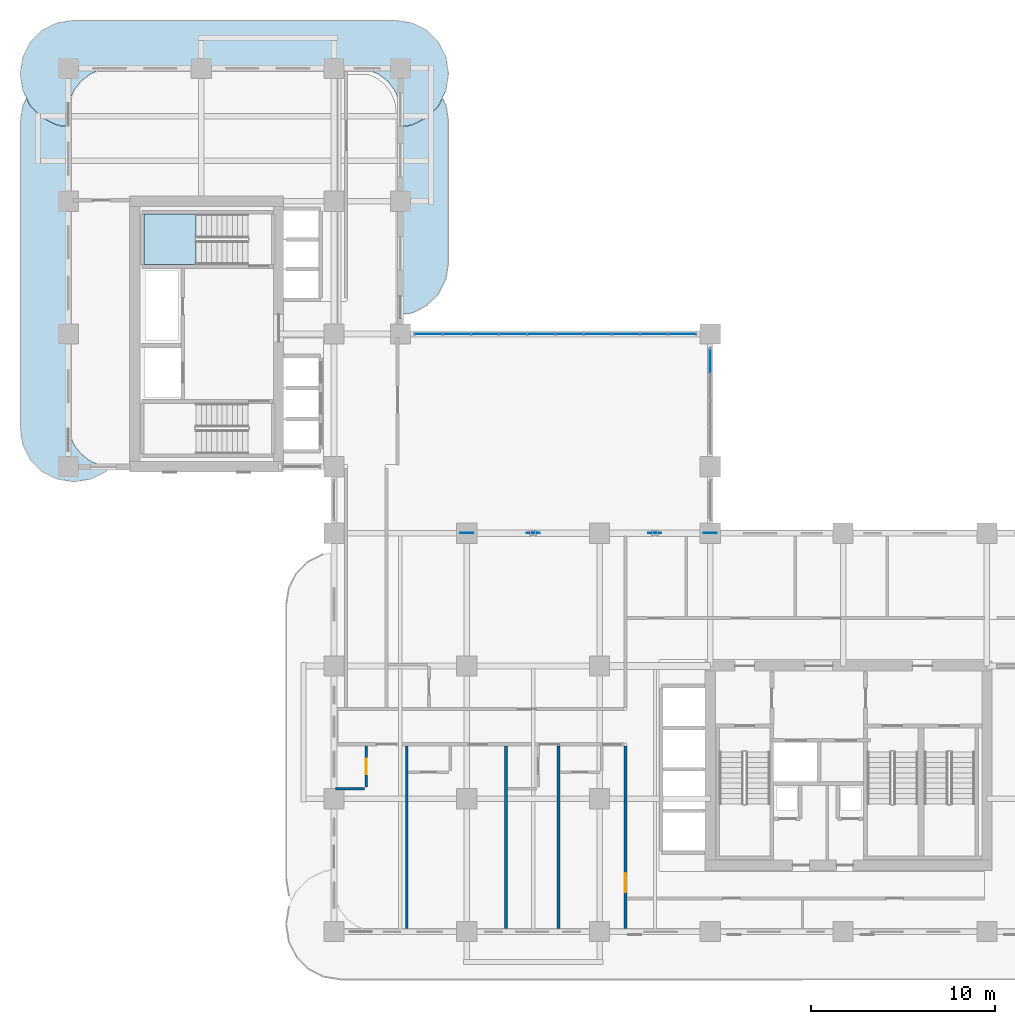
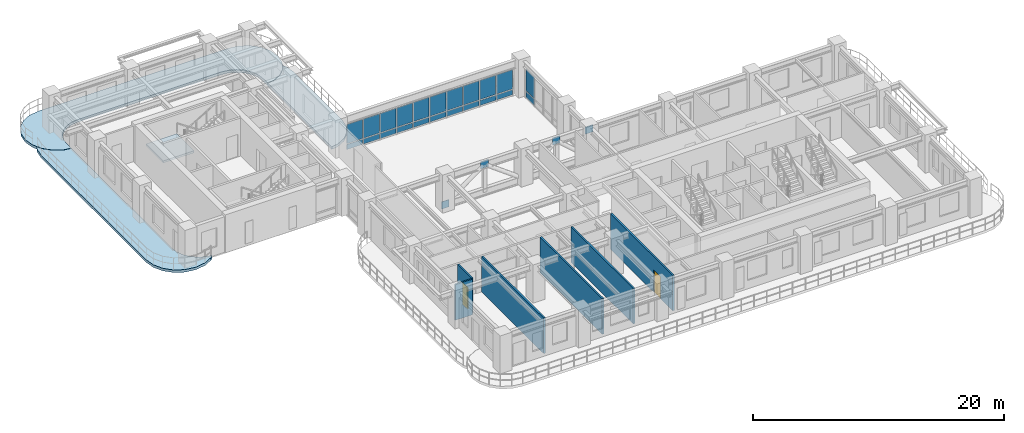
# One storey, part 10 of 21: 26 plates, 6 walls, 4 slabs, 2 doors, 2 openings, 3 elements without a shape of their own.
"""IFC4 building model written with IfcOpenShell, lengths in metres."""

import ifcopenshell
import ifcopenshell.guid

model = None  # the IFC model being written
_history = None  # IfcOwnerHistory: only IFC2X3 demands one
_inside = {}  # id of a spatial element -> (the spatial element, [elements in it])
_under = {}  # id of a project, library or spatial element -> (it, [spatial elements below it])
_declared = {}  # id of a project -> (the project, [libraries it declares])
_typed = {}  # id of a type object -> (the type object, [elements of that type])
_made_of = {}  # id of a material, layer set ... -> (it, [elements and type objects made of it])


def new_model(schema):
    """Start an empty IFC model of exactly this schema.

    Asked for "IFC4X3", IfcOpenShell would pick the latest addendum, in which some entities
    have other attributes; the version numbers below select the first issue.
    IFC2X3 requires an IfcOwnerHistory on every rooted entity: one is made here for all.
    """
    global model, _history
    if schema == "IFC4X3":
        model = ifcopenshell.file(schema_version=(4, 3, 0, 0))
    else:
        model = ifcopenshell.file(schema=schema)
    _inside.clear()
    _under.clear()
    _declared.clear()
    _typed.clear()
    _made_of.clear()
    _history = None
    if model.schema == "IFC2X3":
        org = make("IfcOrganization", Name="unknown")
        user = make(
            "IfcPersonAndOrganization",
            ThePerson=make("IfcPerson", FamilyName="unknown"),
            TheOrganization=org,
        )
        app = make(
            "IfcApplication",
            ApplicationDeveloper=org,
            Version="unknown",
            ApplicationFullName="unknown",
            ApplicationIdentifier="unknown",
        )
        _history = make(
            "IfcOwnerHistory",
            OwningUser=user,
            OwningApplication=app,
            ChangeAction="ADDED",
            CreationDate=0,
        )
    return model


def make(cls, **values):
    """One entity of the class cls with the attributes given. An attribute that is None is left unset."""
    return model.create_entity(
        cls, **{name: value for name, value in values.items() if value is not None}
    )


def rooted(cls, **values):
    """An entity with a GlobalId (a new one), such as an element, a storey or a relation."""
    return make(cls, GlobalId=ifcopenshell.guid.new(), OwnerHistory=_history, **values)


def si_unit(unit_type, name, prefix=None):
    """IfcSIUnit, for example si_unit("LENGTHUNIT", "METRE", prefix="MILLI")."""
    return make("IfcSIUnit", UnitType=unit_type, Prefix=prefix, Name=name)


def derived_unit(unit_type, elements):
    """IfcDerivedUnit: a product of units, each with its exponent."""
    return make(
        "IfcDerivedUnit",
        Elements=[
            make("IfcDerivedUnitElement", Unit=unit, Exponent=power)
            for unit, power in elements
        ],
        UnitType=unit_type,
    )


def assignment(units):
    """IfcUnitAssignment: the units of a project."""
    return None if units is None else make("IfcUnitAssignment", Units=units)


def point(xyz):
    """IfcCartesianPoint."""
    return None if xyz is None else make("IfcCartesianPoint", Coordinates=xyz)


def direction(xyz):
    """IfcDirection."""
    return None if xyz is None else make("IfcDirection", DirectionRatios=xyz)


def frame(location, z_axis=None, x_axis=None):
    """IfcAxis2Placement3D, a coordinate frame: its origin and axes. An axis left out is left unset."""
    return make(
        "IfcAxis2Placement3D",
        Location=point(location),
        Axis=direction(z_axis),
        RefDirection=direction(x_axis),
    )


def frame_2d(location, x_axis=None):
    """IfcAxis2Placement2D, a coordinate frame in the plane: its origin and x axis."""
    return make(
        "IfcAxis2Placement2D", Location=point(location), RefDirection=direction(x_axis)
    )


def origin():
    """The frame at (0, 0, 0) with its axes left unset."""
    return frame((0.0, 0.0, 0.0))


def origin_2d():
    """The frame at (0, 0) in the plane with its x axis left unset."""
    return frame_2d((0.0, 0.0))


def place(relative_to, where):
    """IfcLocalPlacement: puts the frame where relative to a parent placement (None: the world)."""
    return make(
        "IfcLocalPlacement", PlacementRelTo=relative_to, RelativePlacement=where
    )


def context(
    kind, dimensions, precision=None, world=None, true_north=None, identifier=None
):
    """IfcGeometricRepresentationContext, for example the 3D "Model" context."""
    return make(
        "IfcGeometricRepresentationContext",
        ContextIdentifier=identifier,
        ContextType=kind,
        CoordinateSpaceDimension=dimensions,
        Precision=precision,
        WorldCoordinateSystem=world,
        TrueNorth=true_north,
    )


def subcontext(parent, identifier, kind, view, scale=None):
    """IfcGeometricRepresentationSubContext, for example "Body" below "Model"."""
    return make(
        "IfcGeometricRepresentationSubContext",
        ContextIdentifier=identifier,
        ContextType=kind,
        ParentContext=parent,
        TargetScale=scale,
        TargetView=view,
    )


def project(units=None, contexts=None):
    """IfcProject with its units and contexts."""
    return rooted(
        "IfcProject",
        Name="project",
        RepresentationContexts=contexts,
        UnitsInContext=assignment(units),
    )


def spatial(cls, under=None, at=None, **own):
    """A site, building, storey or space (cls), placed at a placement, below another one or the project."""
    s = rooted(cls, ObjectPlacement=at, **own)
    if under is not None:
        _under.setdefault(under.id(), (under, []))[1].append(s)
    return s


def polyline(points):
    """IfcPolyline through the points."""
    return make("IfcPolyline", Points=[point(p) for p in points])


def profile(cls, at=None, kind="AREA", **sizes):
    """A parametric profile (cls). Its sizes go by their IFC names, for example OverallWidth=200.0."""
    return make(cls, ProfileType=kind, Position=at, **sizes)


def rectangle(**sizes):
    """IfcRectangleProfileDef."""
    return profile("IfcRectangleProfileDef", **sizes)


def outline(outer, holes=None, kind="AREA"):
    """IfcArbitraryClosedProfileDef: a profile drawn as a closed curve; with holes, ...WithVoids."""
    if holes is None:
        return make("IfcArbitraryClosedProfileDef", ProfileType=kind, OuterCurve=outer)
    return make(
        "IfcArbitraryProfileDefWithVoids",
        ProfileType=kind,
        OuterCurve=outer,
        InnerCurves=holes,
    )


def extrude(swept, where, along, depth):
    """IfcExtrudedAreaSolid: the profile swept, set in the frame where, extruded along a direction by depth."""
    return make(
        "IfcExtrudedAreaSolid",
        SweptArea=swept,
        Position=where,
        ExtrudedDirection=direction(along),
        Depth=depth,
    )


def shape(context_of_items, identifier, shape_type, items):
    """IfcShapeRepresentation: the items that make up one representation, for example the "Body"."""
    return make(
        "IfcShapeRepresentation",
        ContextOfItems=context_of_items,
        RepresentationIdentifier=identifier,
        RepresentationType=shape_type,
        Items=items,
    )


def source(mapping_origin, context_of_items, identifier, shape_type, items):
    """IfcRepresentationMap: a shape defined once, which mapped items show again and again."""
    return make(
        "IfcRepresentationMap",
        MappingOrigin=mapping_origin,
        MappedRepresentation=shape(context_of_items, identifier, shape_type, items),
    )


def transform(
    local_origin,
    x_axis=None,
    y_axis=None,
    z_axis=None,
    scale=None,
    scale2=None,
    scale3=None,
    uniform=True,
):
    """IfcCartesianTransformationOperator3D, or its non-uniform kind. x_axis, y_axis, z_axis: its Axis1, 2, 3."""
    if uniform:
        return make(
            "IfcCartesianTransformationOperator3D",
            Axis1=direction(x_axis),
            Axis2=direction(y_axis),
            LocalOrigin=point(local_origin),
            Scale=scale,
            Axis3=direction(z_axis),
        )
    return make(
        "IfcCartesianTransformationOperator3DnonUniform",
        Axis1=direction(x_axis),
        Axis2=direction(y_axis),
        LocalOrigin=point(local_origin),
        Scale=scale,
        Axis3=direction(z_axis),
        Scale2=scale2,
        Scale3=scale3,
    )


def mapped(mapping_source, mapping_target):
    """IfcMappedItem: shows the shape of a source again, moved by a transform."""
    return make(
        "IfcMappedItem", MappingSource=mapping_source, MappingTarget=mapping_target
    )


def material(Name=None, Category=None):
    """IfcMaterial."""
    return make("IfcMaterial", Name=Name, Category=Category)


def layer(
    of_material, thickness, ventilated=None, Name=None, Category=None, Priority=None
):
    """IfcMaterialLayer: one layer of a wall or slab, of a material (None: an air gap)."""
    return make(
        "IfcMaterialLayer",
        Material=of_material,
        LayerThickness=thickness,
        IsVentilated=ventilated,
        Name=Name,
        Category=Category,
        Priority=Priority,
    )


def layer_set(layers, Name=None):
    """IfcMaterialLayerSet."""
    return make("IfcMaterialLayerSet", MaterialLayers=layers, LayerSetName=Name)


def made_of(thing, what):
    """Note that an element or type object is made of a material, layer set ...; save() writes the relation."""
    if what is not None:
        _made_of.setdefault(what.id(), (what, []))[1].append(thing)
    return thing


def type_object(cls, material=None, **own):
    """A type object (cls), such as IfcWallType, which elements share."""
    return made_of(rooted(cls, **own), material)


def type_shapes(of_type, sources):
    """Give a type object the sources (RepresentationMaps) that its elements show as mapped items."""
    of_type.RepresentationMaps = sources


def element(
    cls,
    number,
    at=None,
    inside=None,
    cuts=None,
    type_object=None,
    material=None,
    context=None,
    identifier="Body",
    shape_type=None,
    held_by="IfcProductDefinitionShape",
    body=None,
    shapes=None,
    **own,
):
    """One element of the class cls, such as IfcWall. Its Tag is "e" and its number.

    at: its placement. inside: the storey or other place that contains it. cuts: it is an
    opening in that element (IfcRelVoidsElement). A single representation is given by context,
    identifier, shape_type and body (its items); several are given by shapes. held_by: the class
    of the entity that holds the representations. save() writes the other relations.
    """
    e = rooted(cls, Tag="e%d" % number, ObjectPlacement=at, **own)
    if body is not None:
        shapes = [shape(context, identifier, shape_type, body)]
    if shapes is not None:
        e.Representation = make(held_by, Representations=shapes)
    if inside is not None:
        _inside.setdefault(inside.id(), (inside, []))[1].append(e)
    if cuts is not None:
        rooted(
            "IfcRelVoidsElement", RelatingBuildingElement=cuts, RelatedOpeningElement=e
        )
    if type_object is not None:
        _typed.setdefault(type_object.id(), (type_object, []))[1].append(e)
    return made_of(e, material)


def fill(opening, filler):
    """IfcRelFillsElement: the door or window that sits in an opening."""
    return rooted(
        "IfcRelFillsElement",
        RelatingOpeningElement=opening,
        RelatedBuildingElement=filler,
    )


def aggregate(whole, parts):
    """IfcRelAggregates: a whole, such as a stair, and the parts it consists of."""
    return rooted("IfcRelAggregates", RelatingObject=whole, RelatedObjects=parts)


def save(model, path):
    """Write the relations noted so far, then the file.

    IfcRelAggregates (storeys below a building ...), IfcRelContainedInSpatialStructure (elements
    in a storey), IfcRelDefinesByType, IfcRelAssociatesMaterial and IfcRelDeclares: one each for
    every whole, place, type object, material and project.
    """
    for whole, parts in _under.values():
        aggregate(whole, parts)
    for where, things in _inside.values():
        rooted(
            "IfcRelContainedInSpatialStructure",
            RelatedElements=things,
            RelatingStructure=where,
        )
    for kind, things in _typed.values():
        rooted("IfcRelDefinesByType", RelatedObjects=things, RelatingType=kind)
    for what, things in _made_of.values():
        rooted("IfcRelAssociatesMaterial", RelatedObjects=things, RelatingMaterial=what)
    for by, libraries in _declared.values():
        rooted("IfcRelDeclares", RelatingContext=by, RelatedDefinitions=libraries)
    model.write(path)


model = new_model("IFC4")

# Units and contexts
model_context = context("Model", 3, precision=1e-05, world=origin(), true_north=direction((0.0, 1.0)))
body_context = subcontext(model_context, "Body", "Model", "MODEL_VIEW")
ifc_project = project(units=[si_unit("LENGTHUNIT", "METRE"), si_unit("AREAUNIT", "SQUARE_METRE"), si_unit("VOLUMEUNIT", "CUBIC_METRE"), si_unit("PLANEANGLEUNIT", "RADIAN"), si_unit("MASSUNIT", "GRAM", prefix="KILO"), si_unit("THERMODYNAMICTEMPERATUREUNIT", "KELVIN"), si_unit("POWERUNIT", "WATT"), derived_unit("THERMALTRANSMITTANCEUNIT", [(si_unit("POWERUNIT", "WATT"), 1), (si_unit("AREAUNIT", "SQUARE_METRE"), -1), (si_unit("THERMODYNAMICTEMPERATUREUNIT", "KELVIN"), -1)])], contexts=[model_context])

# Site, building, storey
site_placement = place(None, origin())
site = spatial("IfcSite", under=ifc_project, at=site_placement, CompositionType="ELEMENT")
building_placement = place(site_placement, origin())
building = spatial("IfcBuilding", under=site, at=building_placement, Name="Zahravan Archway Hotel and Residences", CompositionType="ELEMENT")
storey_placement = place(building_placement, frame((0.0, 0.0, 69.39990234375)))
storey = spatial("IfcBuildingStorey", under=building, at=storey_placement, Name="L16", CompositionType="ELEMENT", Elevation=69.39990234375)

# Slabs
ifc_material_1 = material(Name="Concrete C45/55", Category="concrete")
ifc_layer_1 = layer(ifc_material_1, 0.25, Name="Concrete C45/55", Category="concrete")
ifc_layer_set_1 = layer_set([ifc_layer_1], Name="Concrete C45/55")
slab_type_1 = type_object("IfcSlabType", Name="SLB-BALC-250", PredefinedType="FLOOR", material=ifc_layer_set_1)
slab_1_placement = place(storey_placement, frame((0.0, 0.0, -0.25)))
element("IfcSlab", 1, at=slab_1_placement, inside=storey, type_object=slab_type_1, Name="L16 Wing B North Rounded Balcony Band", PredefinedType="FLOOR", context=body_context, shape_type="SweptSolid", body=[
    extrude(outline(polyline([(-0.630615234375, 43.739501953125), (-1.42529296875, 44.144287109375), (-2.0556640625, 44.77490234375), (-2.46044921875, 45.5693359375), (-2.60009765625, 46.449951171875), (-2.60009765625, 46.550048828125), (-2.46044921875, 47.4306640625), (-2.0556640625, 48.22509765625), (-1.42529296875, 48.855712890625), (-0.630615234375, 49.260498046875), (0.25, 49.39990234375), (17.75, 49.39990234375), (18.630615234375, 49.260498046875), (19.42529296875, 48.855712890625), (20.0556640625, 48.22509765625), (20.46044921875, 47.4306640625), (20.60009765625, 46.550048828125), (20.60009765625, 46.449951171875), (20.46044921875, 45.5693359375), (20.0556640625, 44.77490234375), (19.42529296875, 44.144287109375), (18.630615234375, 43.739501953125), (18.02001953125, 43.642822265625), (18.02001953125, 44.39990234375), (18.019775390625, 44.402587890625), (17.93798828125, 45.023681640625), (17.937744140625, 45.025390625), (17.937255859375, 45.027099609375), (17.936767578125, 45.02880859375), (17.697021484375, 45.607666015625), (17.6962890625, 45.609130859375), (17.6953125, 45.610595703125), (17.6943359375, 45.6123046875), (17.31298828125, 46.109375), (17.311767578125, 46.110595703125), (17.310546875, 46.11181640625), (17.309326171875, 46.113037109375), (16.812255859375, 46.494384765625), (16.810791015625, 46.495361328125), (16.80908203125, 46.49609375), (16.8076171875, 46.4970703125), (16.22900390625, 46.73681640625), (16.227294921875, 46.7373046875), (16.2255859375, 46.73779296875), (16.223876953125, 46.738037109375), (15.6025390625, 46.81982421875), (15.60009765625, 46.820068359375), (2.39990234375, 46.820068359375), (2.3974609375, 46.81982421875), (1.776123046875, 46.738037109375), (1.7744140625, 46.73779296875), (1.772705078125, 46.7373046875), (1.77099609375, 46.73681640625), (1.1923828125, 46.4970703125), (1.19091796875, 46.49609375), (1.189208984375, 46.495361328125), (1.187744140625, 46.494384765625), (0.690673828125, 46.113037109375), (0.689453125, 46.11181640625), (0.688232421875, 46.110595703125), (0.68701171875, 46.109375), (0.3056640625, 45.6123046875), (0.3046875, 45.610595703125), (0.3037109375, 45.609130859375), (0.302978515625, 45.607666015625), (0.063232421875, 45.02880859375), (0.062744140625, 45.027099609375), (0.062255859375, 45.025390625), (0.06201171875, 45.023681640625), (-0.019775390625, 44.402587890625), (-0.02001953125, 44.39990234375), (-0.02001953125, 43.642822265625), (-0.630615234375, 43.739501953125)])), origin(), (0.0, 0.0, 1.0), 0.25),
])
slab_2_placement = place(storey_placement, frame((0.0, 0.0, -0.25)))
element("IfcSlab", 2, at=slab_2_placement, inside=storey, type_object=slab_type_1, Name="L16 Wing B West Rounded Balcony Band", PredefinedType="FLOOR", context=body_context, shape_type="SweptSolid", body=[
    extrude(outline(polyline([(2.025146484375, 24.9443359375), (1.230712890625, 24.53955078125), (0.35009765625, 24.39990234375), (0.25, 24.39990234375), (-0.630615234375, 24.53955078125), (-1.42529296875, 24.9443359375), (-2.0556640625, 25.57470703125), (-2.46044921875, 26.369384765625), (-2.60009765625, 27.25), (-2.60009765625, 43.949951171875), (-2.46044921875, 44.830810546875), (-2.28369140625, 45.177978515625), (-2.073486328125, 44.765625), (-2.072509765625, 44.763916015625), (-2.0712890625, 44.76220703125), (-2.06982421875, 44.7607421875), (-1.439208984375, 44.130126953125), (-1.437744140625, 44.12890625), (-1.43603515625, 44.12744140625), (-1.434326171875, 44.12646484375), (-0.639892578125, 43.7216796875), (-0.637939453125, 43.720703125), (-0.635986328125, 43.72021484375), (-0.6337890625, 43.7197265625), (-0.023193359375, 43.623046875), (-0.021240234375, 43.622802734375), (-0.02001953125, 43.622802734375), (-0.02001953125, 27.60009765625), (-0.019775390625, 27.597412109375), (0.06201171875, 26.976318359375), (0.062255859375, 26.974609375), (0.062744140625, 26.972900390625), (0.063232421875, 26.97119140625), (0.302978515625, 26.392333984375), (0.3037109375, 26.390869140625), (0.3046875, 26.389404296875), (0.3056640625, 26.3876953125), (0.68701171875, 25.890625), (0.688232421875, 25.889404296875), (0.689453125, 25.88818359375), (0.690673828125, 25.886962890625), (1.187744140625, 25.505615234375), (1.189208984375, 25.504638671875), (1.19091796875, 25.50390625), (1.1923828125, 25.5029296875), (1.77099609375, 25.26318359375), (1.772705078125, 25.2626953125), (1.7744140625, 25.26220703125), (1.776123046875, 25.261962890625), (2.27685546875, 25.196044921875), (2.025146484375, 24.9443359375)])), origin(), (0.0, 0.0, 1.0), 0.25),
])
slab_3_placement = place(storey_placement, frame((0.0, 0.0, -0.25)))
element("IfcSlab", 3, at=slab_3_placement, inside=storey, type_object=slab_type_1, Name="L16 Wing B East Rounded Balcony Band", PredefinedType="FLOOR", context=body_context, shape_type="SweptSolid", body=[
    extrude(outline(polyline([(20.46044921875, 44.830810546875), (20.60009765625, 43.949951171875), (20.60009765625, 36.25), (20.46044921875, 35.369384765625), (20.0556640625, 34.57470703125), (19.42529296875, 33.9443359375), (18.630615234375, 33.53955078125), (18.02001953125, 33.44287109375), (18.02001953125, 43.622802734375), (18.021240234375, 43.622802734375), (18.023193359375, 43.623046875), (18.6337890625, 43.7197265625), (18.635986328125, 43.72021484375), (18.637939453125, 43.720703125), (18.639892578125, 43.7216796875), (19.434326171875, 44.12646484375), (19.43603515625, 44.12744140625), (19.437744140625, 44.12890625), (19.439208984375, 44.130126953125), (20.06982421875, 44.7607421875), (20.0712890625, 44.76220703125), (20.072509765625, 44.763916015625), (20.073486328125, 44.765625), (20.28369140625, 45.177978515625), (20.46044921875, 44.830810546875)])), origin(), (0.0, 0.0, 1.0), 0.25),
])

# Stair, slab
ifc_material_2 = material(Name="Concrete C50/60", Category="concrete")
stair_type = type_object("IfcStairType", Name="STR-CORE-1300", PredefinedType="HALF_TURN_STAIR", material=ifc_material_2)
stair_placement = place(storey_placement, origin())
stair = element("IfcStair", 4, at=stair_placement, inside=storey, type_object=stair_type, Name="L16 Core B Exit Stair 2", PredefinedType="HALF_TURN_STAIR")
ifc_layer_2 = layer(ifc_material_2, 0.199951171875, Name="Concrete C50/60", Category="concrete")
ifc_layer_set_2 = layer_set([ifc_layer_2], Name="Concrete C50/60")
slab_type_2 = type_object("IfcSlabType", Name="SLB-LND-200", PredefinedType="LANDING", material=ifc_layer_set_2)
slab_4_placement = place(storey_placement, frame((0.0, 0.0, 1.650146484375)))
slab_4 = element("IfcSlab", 5, at=slab_4_placement, type_object=slab_type_2, Name="ST-B2 landing 1", PredefinedType="LANDING", context=body_context, shape_type="SweptSolid", body=[
    extrude(outline(polyline([(6.929931640625, 38.89990234375), (4.10009765625, 38.89990234375), (4.10009765625, 36.159912109375), (6.929931640625, 36.159912109375), (6.929931640625, 38.89990234375)])), origin(), (0.0, 0.0, 1.0), 0.199951171875),
])
aggregate(stair, [slab_4])

# Plates
ifc_material_3 = material(Name="Structural Steel S355J2", Category="steel")
ifc_layer_3 = layer(ifc_material_3, 0.030029296875, Name="Structural Steel S355J2", Category="steel")
ifc_layer_set_3 = layer_set([ifc_layer_3], Name="Structural Steel S355J2")
plate_type_1 = type_object("IfcPlateType", Name="PLT-GUS-BTN1", PredefinedType="USERDEFINED", material=ifc_layer_set_3)
shared_shape_1 = source(origin(), body_context, "Body", "SweptSolid", [
    extrude(rectangle(XDim=0.699951171875, YDim=0.030029296875, at=origin_2d()), origin(), (0.0, 0.0, 1.0), 0.699951171875),
])
type_shapes(plate_type_1, [shared_shape_1])
for number, where, z_axis, x_axis, name in (
    (6, (21.60009765625, 21.60009765625, 0.0), (0.0, 0.0, 1.0), (1.0, 0.0, 0.0), "L16 Sky-Bridge End Gusset Plate BTN1-W"),
    (7, (34.800048828125, 21.60009765625, 2.64990234375), (0.0, 0.0, 1.0), (1.0, 0.0, 0.0), "L16 Sky-Bridge End Gusset Plate BTN1-E"),
    (8, (25.199951171875, 21.60009765625, 2.64990234375), (0.0, 0.0, 1.0), (1.0, 0.0, 0.0), "L16 Sky-Bridge Gusset Plate BTN1-1"),
    (9, (31.800048828125, 21.60009765625, 2.64990234375), (0.0, 0.0, 1.0), (1.0, 0.0, 0.0), "L16 Sky-Bridge Gusset Plate BTN1-3"),
):
    element("IfcPlate", number, at=place(storey_placement, frame(where, z_axis=z_axis, x_axis=x_axis)), inside=storey, type_object=plate_type_1, Name=name, ObjectType="GUSSET", PredefinedType="USERDEFINED", context=body_context, shape_type="MappedRepresentation", body=[
        mapped(shared_shape_1, transform((0.0, 0.0, 0.0), scale=1.0)),
    ])

# Curtain wall, plates
ifc_material_4 = material(Name="Bronze-Anodized Unitised Aluminium & Low-E Glass", Category="aluminium")
ifc_layer_4 = layer(ifc_material_4, 0.179931640625, Name="Bronze-Anodized Unitised Aluminium & Low-E Glass", Category="aluminium")
ifc_layer_set_4 = layer_set([ifc_layer_4], Name="Bronze-Anodized Unitised Aluminium & Low-E Glass")
curtain_wall_type = type_object("IfcCurtainWallType", Name="CW-SBG-1", PredefinedType="NOTDEFINED", material=ifc_layer_set_4)
curtain_wall_1_placement = place(storey_placement, origin())
curtain_wall_1 = element("IfcCurtainWall", 10, at=curtain_wall_1_placement, inside=storey, type_object=curtain_wall_type, Name="L16 Curtain Wall CW-L16-HNG-E-2", PredefinedType="NOTDEFINED")
ifc_material_5 = material(Name="Insulated Terracotta Spandrel Panel", Category="masonry")
ifc_layer_5 = layer(ifc_material_5, 0.0400390625, Name="Insulated Terracotta Spandrel Panel", Category="masonry")
ifc_layer_set_5 = layer_set([ifc_layer_5], Name="Insulated Terracotta Spandrel Panel")
plate_type_2 = type_object("IfcPlateType", Name="CWP-SPN-40", PredefinedType="SHEET", material=ifc_layer_set_5)
shared_shape_2 = source(origin(), body_context, "Body", "SweptSolid", [
    extrude(rectangle(XDim=1.340087890625, YDim=0.0400390625, at=origin_2d()), origin(), (0.0, 0.0, 1.0), 0.552490234375),
])
plate_1_placement = place(storey_placement, frame((34.800048828125, 30.929931640625, 0.10009765625), z_axis=(0.0, 0.0, 1.0), x_axis=(0.0, 1.0, 0.0)))
plate_1 = element("IfcPlate", 11, at=plate_1_placement, type_object=plate_type_2, Name="CW-L16-HNG-E-2 Spandrel Panel 3", PredefinedType="SHEET", context=body_context, shape_type="MappedRepresentation", body=[
    mapped(shared_shape_2, transform((0.0, 0.0, 0.0), scale=1.0)),
])
ifc_material_6 = material(Name="Double-Silver Low-E Insulated Vision Glass", Category="glass")
ifc_layer_6 = layer(ifc_material_6, 0.028076171875, Name="Double-Silver Low-E Insulated Vision Glass", Category="glass")
ifc_layer_set_6 = layer_set([ifc_layer_6], Name="Double-Silver Low-E Insulated Vision Glass")
plate_type_3 = type_object("IfcPlateType", Name="CWP-GLZ-28", PredefinedType="CURTAIN_PANEL", material=ifc_layer_set_6)
shared_shape_3 = source(origin(), body_context, "Body", "SweptSolid", [
    extrude(rectangle(XDim=1.340087890625, YDim=0.028076171875, at=origin_2d()), origin(), (0.0, 0.0, 1.0), 2.052490234375),
])
plate_2_placement = place(storey_placement, frame((34.800048828125, 30.929931640625, 0.732421875), z_axis=(0.0, 0.0, 1.0), x_axis=(0.0, 1.0, 0.0)))
plate_2 = element("IfcPlate", 12, at=plate_2_placement, type_object=plate_type_3, Name="CW-L16-HNG-E-2 Low-E Vision Panel 3", PredefinedType="CURTAIN_PANEL", context=body_context, shape_type="MappedRepresentation", body=[
    mapped(shared_shape_3, transform((0.0, 0.0, 0.0), scale=1.0)),
])
aggregate(curtain_wall_1, [plate_1, plate_2])

curtain_wall_2_placement = place(storey_placement, origin())
curtain_wall_2 = element("IfcCurtainWall", 13, at=curtain_wall_2_placement, inside=storey, type_object=curtain_wall_type, Name="L16 Curtain Wall CW-L16-HNG-N-1", PredefinedType="NOTDEFINED")
shared_shape_4 = source(origin(), body_context, "Body", "SweptSolid", [
    extrude(rectangle(XDim=1.447998046875, YDim=0.0400390625, at=origin_2d()), origin(), (0.0, 0.0, 1.0), 0.492431640625),
])
plate_3_placement = place(storey_placement, frame((19.52392578125, 32.39990234375, 0.10009765625), z_axis=(0.0, 0.0, 1.0), x_axis=(1.0, 0.0, 0.0)))
plate_3 = element("IfcPlate", 14, at=plate_3_placement, type_object=plate_type_2, Name="CW-L16-HNG-N-1 Spandrel Panel 0", PredefinedType="SHEET", context=body_context, shape_type="MappedRepresentation", body=[
    mapped(shared_shape_4, transform((0.0, 0.0, 0.0), scale=1.0)),
])
plate_4_placement = place(storey_placement, frame((21.052001953125, 32.39990234375, 0.10009765625), z_axis=(0.0, 0.0, 1.0), x_axis=(1.0, 0.0, 0.0)))
plate_4 = element("IfcPlate", 15, at=plate_4_placement, type_object=plate_type_2, Name="CW-L16-HNG-N-1 Spandrel Panel 1", PredefinedType="SHEET", context=body_context, shape_type="MappedRepresentation", body=[
    mapped(shared_shape_4, transform((0.0, 0.0, 0.0), scale=1.0)),
])
plate_5_placement = place(storey_placement, frame((22.580078125, 32.39990234375, 0.10009765625), z_axis=(0.0, 0.0, 1.0), x_axis=(1.0, 0.0, 0.0)))
plate_5 = element("IfcPlate", 16, at=plate_5_placement, type_object=plate_type_2, Name="CW-L16-HNG-N-1 Spandrel Panel 2", PredefinedType="SHEET", context=body_context, shape_type="MappedRepresentation", body=[
    mapped(shared_shape_4, transform((0.0, 0.0, 0.0), scale=1.0)),
])
plate_6_placement = place(storey_placement, frame((24.10791015625, 32.39990234375, 0.10009765625), z_axis=(0.0, 0.0, 1.0), x_axis=(1.0, 0.0, 0.0)))
plate_6 = element("IfcPlate", 17, at=plate_6_placement, type_object=plate_type_2, Name="CW-L16-HNG-N-1 Spandrel Panel 3", PredefinedType="SHEET", context=body_context, shape_type="MappedRepresentation", body=[
    mapped(shared_shape_4, transform((0.0, 0.0, 0.0), scale=1.0)),
])
plate_7_placement = place(storey_placement, frame((25.635986328125, 32.39990234375, 0.10009765625), z_axis=(0.0, 0.0, 1.0), x_axis=(1.0, 0.0, 0.0)))
plate_7 = element("IfcPlate", 18, at=plate_7_placement, type_object=plate_type_2, Name="CW-L16-HNG-N-1 Spandrel Panel 4", PredefinedType="SHEET", context=body_context, shape_type="MappedRepresentation", body=[
    mapped(shared_shape_4, transform((0.0, 0.0, 0.0), scale=1.0)),
])
plate_8_placement = place(storey_placement, frame((27.1640625, 32.39990234375, 0.10009765625), z_axis=(0.0, 0.0, 1.0), x_axis=(1.0, 0.0, 0.0)))
plate_8 = element("IfcPlate", 19, at=plate_8_placement, type_object=plate_type_2, Name="CW-L16-HNG-N-1 Spandrel Panel 5", PredefinedType="SHEET", context=body_context, shape_type="MappedRepresentation", body=[
    mapped(shared_shape_4, transform((0.0, 0.0, 0.0), scale=1.0)),
])
plate_9_placement = place(storey_placement, frame((28.69189453125, 32.39990234375, 0.10009765625), z_axis=(0.0, 0.0, 1.0), x_axis=(1.0, 0.0, 0.0)))
plate_9 = element("IfcPlate", 20, at=plate_9_placement, type_object=plate_type_2, Name="CW-L16-HNG-N-1 Spandrel Panel 6", PredefinedType="SHEET", context=body_context, shape_type="MappedRepresentation", body=[
    mapped(shared_shape_4, transform((0.0, 0.0, 0.0), scale=1.0)),
])
plate_10_placement = place(storey_placement, frame((30.219970703125, 32.39990234375, 0.10009765625), z_axis=(0.0, 0.0, 1.0), x_axis=(1.0, 0.0, 0.0)))
plate_10 = element("IfcPlate", 21, at=plate_10_placement, type_object=plate_type_2, Name="CW-L16-HNG-N-1 Spandrel Panel 7", PredefinedType="SHEET", context=body_context, shape_type="MappedRepresentation", body=[
    mapped(shared_shape_4, transform((0.0, 0.0, 0.0), scale=1.0)),
])
plate_11_placement = place(storey_placement, frame((31.748046875, 32.39990234375, 0.10009765625), z_axis=(0.0, 0.0, 1.0), x_axis=(1.0, 0.0, 0.0)))
plate_11 = element("IfcPlate", 22, at=plate_11_placement, type_object=plate_type_2, Name="CW-L16-HNG-N-1 Spandrel Panel 8", PredefinedType="SHEET", context=body_context, shape_type="MappedRepresentation", body=[
    mapped(shared_shape_4, transform((0.0, 0.0, 0.0), scale=1.0)),
])
plate_12_placement = place(storey_placement, frame((33.27587890625, 32.39990234375, 0.10009765625), z_axis=(0.0, 0.0, 1.0), x_axis=(1.0, 0.0, 0.0)))
plate_12 = element("IfcPlate", 23, at=plate_12_placement, type_object=plate_type_2, Name="CW-L16-HNG-N-1 Spandrel Panel 9", PredefinedType="SHEET", context=body_context, shape_type="MappedRepresentation", body=[
    mapped(shared_shape_4, transform((0.0, 0.0, 0.0), scale=1.0)),
])
shared_shape_5 = source(origin(), body_context, "Body", "SweptSolid", [
    extrude(rectangle(XDim=1.447998046875, YDim=0.028076171875, at=origin_2d()), origin(), (0.0, 0.0, 1.0), 1.862548828125),
])
plate_13_placement = place(storey_placement, frame((19.52392578125, 32.39990234375, 0.67236328125), z_axis=(0.0, 0.0, 1.0), x_axis=(1.0, 0.0, 0.0)))
plate_13 = element("IfcPlate", 24, at=plate_13_placement, type_object=plate_type_3, Name="CW-L16-HNG-N-1 Low-E Vision Panel 0", PredefinedType="CURTAIN_PANEL", context=body_context, shape_type="MappedRepresentation", body=[
    mapped(shared_shape_5, transform((0.0, 0.0, 0.0), scale=1.0)),
])
plate_14_placement = place(storey_placement, frame((21.052001953125, 32.39990234375, 0.67236328125), z_axis=(0.0, 0.0, 1.0), x_axis=(1.0, 0.0, 0.0)))
plate_14 = element("IfcPlate", 25, at=plate_14_placement, type_object=plate_type_3, Name="CW-L16-HNG-N-1 Low-E Vision Panel 1", PredefinedType="CURTAIN_PANEL", context=body_context, shape_type="MappedRepresentation", body=[
    mapped(shared_shape_5, transform((0.0, 0.0, 0.0), scale=1.0)),
])
plate_15_placement = place(storey_placement, frame((22.580078125, 32.39990234375, 0.67236328125), z_axis=(0.0, 0.0, 1.0), x_axis=(1.0, 0.0, 0.0)))
plate_15 = element("IfcPlate", 26, at=plate_15_placement, type_object=plate_type_3, Name="CW-L16-HNG-N-1 Low-E Vision Panel 2", PredefinedType="CURTAIN_PANEL", context=body_context, shape_type="MappedRepresentation", body=[
    mapped(shared_shape_5, transform((0.0, 0.0, 0.0), scale=1.0)),
])
plate_16_placement = place(storey_placement, frame((24.10791015625, 32.39990234375, 0.67236328125), z_axis=(0.0, 0.0, 1.0), x_axis=(1.0, 0.0, 0.0)))
plate_16 = element("IfcPlate", 27, at=plate_16_placement, type_object=plate_type_3, Name="CW-L16-HNG-N-1 Low-E Vision Panel 3", PredefinedType="CURTAIN_PANEL", context=body_context, shape_type="MappedRepresentation", body=[
    mapped(shared_shape_5, transform((0.0, 0.0, 0.0), scale=1.0)),
])
plate_17_placement = place(storey_placement, frame((25.635986328125, 32.39990234375, 0.67236328125), z_axis=(0.0, 0.0, 1.0), x_axis=(1.0, 0.0, 0.0)))
plate_17 = element("IfcPlate", 28, at=plate_17_placement, type_object=plate_type_3, Name="CW-L16-HNG-N-1 Low-E Vision Panel 4", PredefinedType="CURTAIN_PANEL", context=body_context, shape_type="MappedRepresentation", body=[
    mapped(shared_shape_5, transform((0.0, 0.0, 0.0), scale=1.0)),
])
plate_18_placement = place(storey_placement, frame((27.1640625, 32.39990234375, 0.67236328125), z_axis=(0.0, 0.0, 1.0), x_axis=(1.0, 0.0, 0.0)))
plate_18 = element("IfcPlate", 29, at=plate_18_placement, type_object=plate_type_3, Name="CW-L16-HNG-N-1 Low-E Vision Panel 5", PredefinedType="CURTAIN_PANEL", context=body_context, shape_type="MappedRepresentation", body=[
    mapped(shared_shape_5, transform((0.0, 0.0, 0.0), scale=1.0)),
])
plate_19_placement = place(storey_placement, frame((28.69189453125, 32.39990234375, 0.67236328125), z_axis=(0.0, 0.0, 1.0), x_axis=(1.0, 0.0, 0.0)))
plate_19 = element("IfcPlate", 30, at=plate_19_placement, type_object=plate_type_3, Name="CW-L16-HNG-N-1 Low-E Vision Panel 6", PredefinedType="CURTAIN_PANEL", context=body_context, shape_type="MappedRepresentation", body=[
    mapped(shared_shape_5, transform((0.0, 0.0, 0.0), scale=1.0)),
])
plate_20_placement = place(storey_placement, frame((30.219970703125, 32.39990234375, 0.67236328125), z_axis=(0.0, 0.0, 1.0), x_axis=(1.0, 0.0, 0.0)))
plate_20 = element("IfcPlate", 31, at=plate_20_placement, type_object=plate_type_3, Name="CW-L16-HNG-N-1 Low-E Vision Panel 7", PredefinedType="CURTAIN_PANEL", context=body_context, shape_type="MappedRepresentation", body=[
    mapped(shared_shape_5, transform((0.0, 0.0, 0.0), scale=1.0)),
])
plate_21_placement = place(storey_placement, frame((31.748046875, 32.39990234375, 0.67236328125), z_axis=(0.0, 0.0, 1.0), x_axis=(1.0, 0.0, 0.0)))
plate_21 = element("IfcPlate", 32, at=plate_21_placement, type_object=plate_type_3, Name="CW-L16-HNG-N-1 Low-E Vision Panel 8", PredefinedType="CURTAIN_PANEL", context=body_context, shape_type="MappedRepresentation", body=[
    mapped(shared_shape_5, transform((0.0, 0.0, 0.0), scale=1.0)),
])
plate_22_placement = place(storey_placement, frame((33.27587890625, 32.39990234375, 0.67236328125), z_axis=(0.0, 0.0, 1.0), x_axis=(1.0, 0.0, 0.0)))
plate_22 = element("IfcPlate", 33, at=plate_22_placement, type_object=plate_type_3, Name="CW-L16-HNG-N-1 Low-E Vision Panel 9", PredefinedType="CURTAIN_PANEL", context=body_context, shape_type="MappedRepresentation", body=[
    mapped(shared_shape_5, transform((0.0, 0.0, 0.0), scale=1.0)),
])
aggregate(curtain_wall_2, [plate_3, plate_13, plate_4, plate_14, plate_5, plate_15, plate_6, plate_16, plate_7, plate_17, plate_8, plate_18, plate_9, plate_19, plate_10, plate_20, plate_11, plate_21, plate_12, plate_22])

# Wall, opening, door
ifc_material_7 = material(Name="Fire-Rated Gypsum & Concrete Block", Category="concrete")
ifc_layer_7 = layer(ifc_material_7, 0.159912109375, Name="Fire-Rated Gypsum & Concrete Block", Category="concrete")
ifc_layer_set_7 = layer_set([ifc_layer_7], Name="Fire-Rated Gypsum & Concrete Block")
wall_type_1 = type_object("IfcWallType", Name="PW-CORR-160", PredefinedType="PARTITIONING", material=ifc_layer_set_7)
wall_1_placement = place(storey_placement, frame((30.199951171875, 0.16796875, 0.0), z_axis=(0.0, 0.0, 1.0), x_axis=(0.0, 1.0, 0.0)))
wall_1 = element("IfcWall", 34, at=wall_1_placement, inside=storey, type_object=wall_type_1, Name="L16 Partition WA-SRW", PredefinedType="PARTITIONING", context=body_context, shape_type="SweptSolid", body=[
    extrude(rectangle(XDim=9.89208984375, YDim=0.159912109375, at=frame_2d((4.946044921875, 0.0))), origin(), (0.0, 0.0, 1.0), 3.4501953125),
])
opening_1_placement = place(wall_1_placement, frame((1.95703125, 0.0, 0.0)))
opening_1 = element("IfcOpeningElement", 35, at=opening_1_placement, cuts=wall_1, Name="Opening FD-L2", PredefinedType="OPENING", context=body_context, shape_type="SweptSolid", body=[
    extrude(rectangle(XDim=1.050048828125, YDim=2.14990234375, at=frame_2d((0.52490234375, 1.074951171875))), frame((0.0, 0.08984375, 0.0), z_axis=(0.0, -1.0, 0.0), x_axis=(1.0, 0.0, 0.0)), (0.0, 0.0, 1.0), 0.179931640625),
])
ifc_material_8 = material(Name="Fire-Rated Painted Steel", Category="steel")
door_type_1 = type_object("IfcDoorType", Name="FD-LOBBY-1100", OperationType="NOTDEFINED", PredefinedType="DOOR", material=ifc_material_8)
shared_shape_6 = source(origin(), body_context, "Body", "SweptSolid", [
    extrude(rectangle(XDim=1.050048828125, YDim=2.14990234375, at=frame_2d((0.52490234375, 1.074951171875))), frame((0.0, 0.02490234375, 0.0), z_axis=(0.0, -1.0, 0.0), x_axis=(1.0, 0.0, 0.0)), (0.0, 0.0, 1.0), 0.050048828125),
])
type_shapes(door_type_1, [shared_shape_6])
door_1_placement = place(opening_1_placement, origin())
door_1 = element("IfcDoor", 36, at=door_1_placement, inside=storey, type_object=door_type_1, Name="L16 South Riser Corridor Door", OperationType="SINGLE_SWING_LEFT", OverallHeight=2.14990234375, OverallWidth=1.050048828125, PredefinedType="DOOR", context=body_context, shape_type="MappedRepresentation", body=[
    mapped(shared_shape_6, transform((0.0, 0.0, 0.0), scale=1.0)),
])
fill(opening_1, door_1)

# Walls
ifc_material_9 = material(Name="Acoustic Stud Partition")
ifc_layer_8 = layer(ifc_material_9, 0.14990234375, Name="Acoustic Stud Partition")
ifc_layer_set_8 = layer_set([ifc_layer_8], Name="Acoustic Stud Partition")
wall_type_2 = type_object("IfcWallType", Name="PW-UNIT-150", PredefinedType="PARTITIONING", material=ifc_layer_set_8)
for number, where, z_axis, x_axis, name in (
    (37, (18.35009765625, 0.16796875, 0.0), (0.0, 0.0, 1.0), (0.0, 1.0, 0.0), "L16 Partition WAS-4-1"),
    (38, (23.719970703125, 0.16796875, 0.0), (0.0, 0.0, 1.0), (0.0, 1.0, 0.0), "L16 Partition WAS-4-2"),
    (39, (26.570068359375, 0.16796875, 0.0), (0.0, 0.0, 1.0), (0.0, 1.0, 0.0), "L16 Partition WAS-4-3"),
):
    element("IfcWall", number, at=place(storey_placement, frame(where, z_axis=z_axis, x_axis=x_axis)), inside=storey, type_object=wall_type_2, Name=name, PredefinedType="PARTITIONING", context=body_context, shape_type="SweptSolid", body=[
        extrude(rectangle(XDim=9.89208984375, YDim=0.14990234375, at=frame_2d((4.946044921875, 0.0))), origin(), (0.0, 0.0, 1.0), 3.4501953125),
    ])

# Wall, opening, door
ifc_material_10 = material(Name="Moisture-Resistant Blockwork", Category="masonry")
ifc_layer_9 = layer(ifc_material_10, 0.139892578125, Name="Moisture-Resistant Blockwork", Category="masonry")
ifc_layer_set_9 = layer_set([ifc_layer_9], Name="Moisture-Resistant Blockwork")
wall_type_3 = type_object("IfcWallType", Name="PW-WET-140", PredefinedType="PARTITIONING", material=ifc_layer_set_9)
wall_2_placement = place(storey_placement, frame((16.14990234375, 7.840087890625, 0.0), z_axis=(0.0, 0.0, 1.0), x_axis=(0.0, 1.0, 0.0)))
wall_2 = element("IfcWall", 40, at=wall_2_placement, inside=storey, type_object=wall_type_3, Name="L16 Partition HKB-V40", PredefinedType="PARTITIONING", context=body_context, shape_type="SweptSolid", body=[
    extrude(rectangle(XDim=2.219970703125, YDim=0.139892578125, at=frame_2d((1.10986328125, 0.0))), origin(), (0.0, 0.0, 1.0), 3.4501953125),
])
opening_2_placement = place(wall_2_placement, frame((0.68505859375, 0.0, 0.0)))
opening_2 = element("IfcOpeningElement", 41, at=opening_2_placement, cuts=wall_2, Name="Opening D-B1", PredefinedType="OPENING", context=body_context, shape_type="SweptSolid", body=[
    extrude(rectangle(XDim=0.85009765625, YDim=2.10009765625, at=frame_2d((0.425048828125, 1.050048828125))), frame((0.0, 0.080078125, 0.0), z_axis=(0.0, -1.0, 0.0), x_axis=(1.0, 0.0, 0.0)), (0.0, 0.0, 1.0), 0.159912109375),
])
ifc_material_11 = material(Name="Hardwood Veneer Timber", Category="wood")
door_type_2 = type_object("IfcDoorType", Name="ID-BATH-850", OperationType="NOTDEFINED", PredefinedType="DOOR", material=ifc_material_11)
shared_shape_7 = source(origin(), body_context, "Body", "SweptSolid", [
    extrude(rectangle(XDim=0.85009765625, YDim=2.10009765625, at=frame_2d((0.425048828125, 1.050048828125))), frame((0.0, 0.02490234375, 0.0), z_axis=(0.0, -1.0, 0.0), x_axis=(1.0, 0.0, 0.0)), (0.0, 0.0, 1.0), 0.050048828125),
])
type_shapes(door_type_2, [shared_shape_7])
door_2_placement = place(opening_2_placement, origin())
door_2 = element("IfcDoor", 42, at=door_2_placement, inside=storey, type_object=door_type_2, Name="L16 Guestroom 40 En-Suite Door", OperationType="SINGLE_SWING_RIGHT", OverallHeight=2.10009765625, OverallWidth=0.85009765625, PredefinedType="DOOR", context=body_context, shape_type="MappedRepresentation", body=[
    mapped(shared_shape_7, transform((0.0, 0.0, 0.0), scale=1.0)),
])
fill(opening_2, door_2)

# Wall
wall_3_placement = place(storey_placement, frame((14.489990234375, 7.75, 0.0), z_axis=(0.0, 0.0, 1.0), x_axis=(1.0, 0.0, 0.0)))
element("IfcWall", 43, at=wall_3_placement, inside=storey, type_object=wall_type_3, Name="L16 Partition HKB-H40", PredefinedType="PARTITIONING", context=body_context, shape_type="SweptSolid", body=[
    extrude(rectangle(XDim=1.570068359375, YDim=0.139892578125, at=frame_2d((0.78515625, 0.0))), origin(), (0.0, 0.0, 1.0), 3.4501953125),
])

save(model, "model.ifc")
